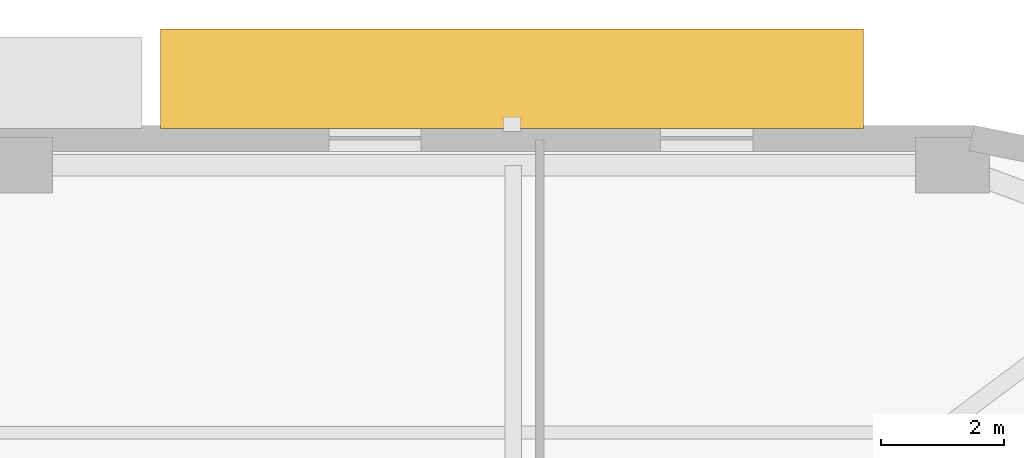
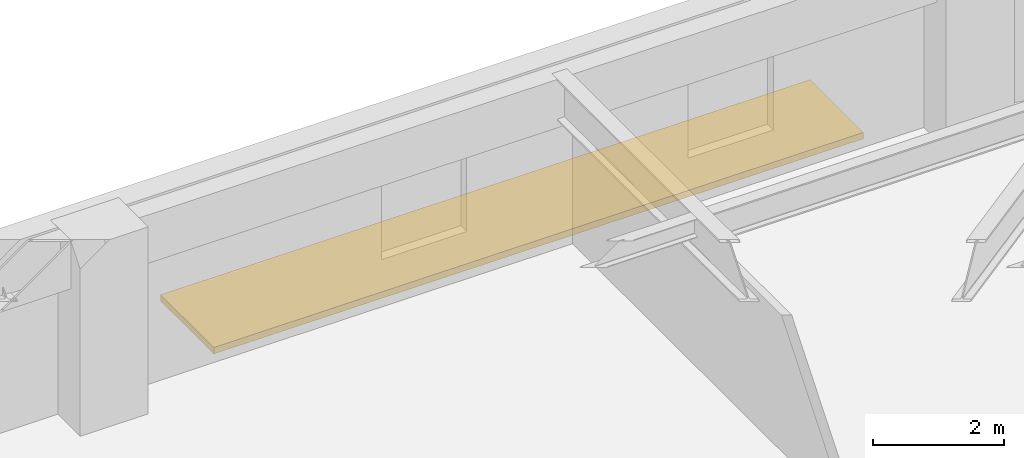
# One storey, part 15 of 15: 1 shading device.
"""IFC4 building model written with IfcOpenShell, lengths in metres."""

from ifc_helpers import new_model, si_unit, direction, frame, origin, origin_2d, place, context, subcontext, project, spatial, rectangle, extrude, material, type_object, element, save


model = new_model("IFC4")

# Units and contexts
model_context = context("Model", 3, precision=1e-05, world=origin(), true_north=direction((0.0, 1.0)))
body_context = subcontext(model_context, "Body", "Model", "MODEL_VIEW")
ifc_project = project(units=[si_unit("LENGTHUNIT", "METRE"), si_unit("AREAUNIT", "SQUARE_METRE"), si_unit("VOLUMEUNIT", "CUBIC_METRE"), si_unit("PLANEANGLEUNIT", "RADIAN"), si_unit("MASSUNIT", "GRAM", prefix="KILO")], contexts=[model_context])

# Site, building, storey
site_placement = place(None, origin())
site = spatial("IfcSite", under=ifc_project, at=site_placement, CompositionType="ELEMENT")
building_placement = place(site_placement, origin())
building = spatial("IfcBuilding", under=site, at=building_placement, Name="Kolvaren Arena Tower", CompositionType="ELEMENT")
storey_placement = place(building_placement, frame((0.0, 0.0, 68.25)))
storey = spatial("IfcBuildingStorey", under=building, at=storey_placement, Name="L14", CompositionType="ELEMENT", Elevation=68.25)

# Shading device
ifc_material = material(Name="Architectural precast GFRC and anodised aluminium sunshade", Category="concrete")
shading_device_type = type_object("IfcShadingDeviceType", Name="SHAD-SINE-B", PredefinedType="JALOUSIE", material=ifc_material)
shading_device_placement = place(storey_placement, frame((60.330078125, 50.26123046875, -0.14013671875), z_axis=(0.0, 0.0, 1.0), x_axis=(1.0, 0.0, 0.0)))
element("IfcShadingDevice", 1, at=shading_device_placement, inside=storey, type_object=shading_device_type, Name="Sinusoidal Slab-Edge Sunshade Louvre (L14)", PredefinedType="JALOUSIE", context=body_context, shape_type="SweptSolid", body=[
    extrude(rectangle(XDim=11.43994140625, YDim=1.62255859375, at=origin_2d()), origin(), (0.0, 0.0, 1.0), 0.1201171875),
])

save(model, "model.ifc")
